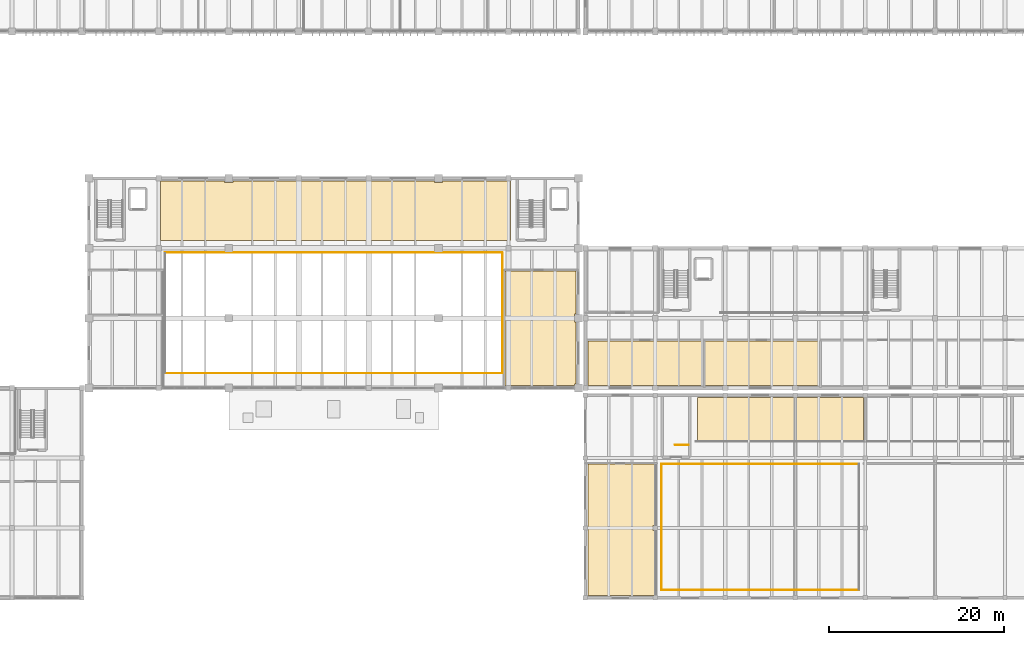
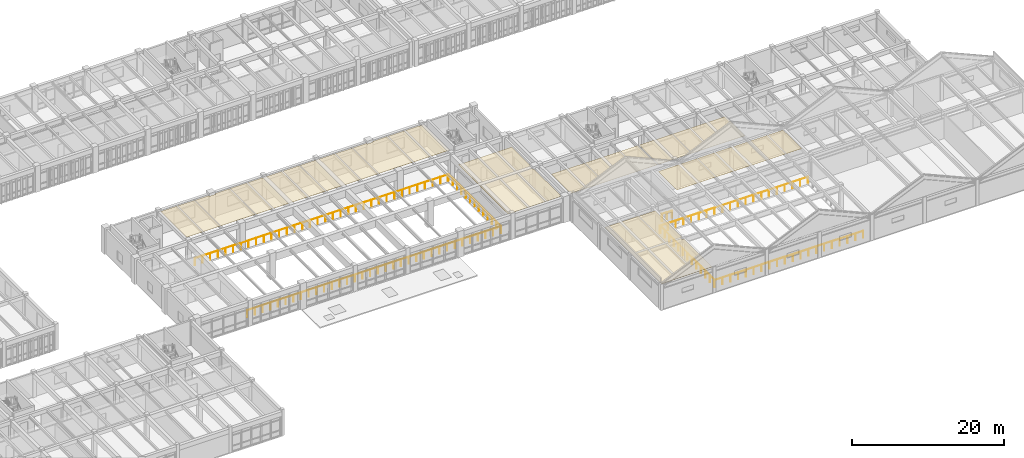
# One storey, part 58 of 67: 7 railings, 6 coverings.
"""IFC4 building model written with IfcOpenShell, lengths in metres."""

from ifc_helpers import new_model, si_unit, direction, frame, origin, origin_2d, place, context, subcontext, project, spatial, polyline, circle, outline, extrude, material, layer, layer_set, type_object, element, save


model = new_model("IFC4")

# Units and contexts
model_context = context("Model", 3, precision=1e-05, world=origin(), true_north=direction((0.0, 1.0)))
body_context = subcontext(model_context, "Body", "Model", "MODEL_VIEW")
ifc_project = project(units=[si_unit("LENGTHUNIT", "METRE"), si_unit("AREAUNIT", "SQUARE_METRE"), si_unit("VOLUMEUNIT", "CUBIC_METRE"), si_unit("PLANEANGLEUNIT", "RADIAN"), si_unit("MASSUNIT", "GRAM", prefix="KILO")], contexts=[model_context])

# Site, building, storey
site_placement = place(None, origin())
site = spatial("IfcSite", under=ifc_project, at=site_placement, CompositionType="ELEMENT")
building_placement = place(site_placement, origin())
building = spatial("IfcBuilding", under=site, at=building_placement, Name="Tlaxcora Railside Police Headquarters", CompositionType="ELEMENT")
storey_placement = place(building_placement, frame((0.0, 0.0, 4.800048828125)))
storey = spatial("IfcBuildingStorey", under=building, at=storey_placement, Name="L01", CompositionType="ELEMENT", Elevation=4.800048828125)

# Coverings
ifc_material_1 = material(Name="Mineral-fibre acoustic ceiling tile")
ifc_layer = layer(ifc_material_1, 0.034912109375, Name="Mineral-fibre acoustic ceiling tile")
ifc_layer_set = layer_set([ifc_layer], Name="Mineral-fibre acoustic ceiling tile")
covering_type = type_object("IfcCoveringType", Name="Acoustic Suspended Ceiling CLG-01", PredefinedType="CEILING", material=ifc_layer_set)
covering_1_placement = place(storey_placement, frame((0.0, 0.0, 3.764892578125)))
element("IfcCovering", 1, at=covering_1_placement, inside=storey, type_object=covering_type, Name="Public Mezzanine Gallery and Waiting Concourse suspended ceiling", PredefinedType="CEILING", context=body_context, shape_type="SweptSolid", body=[
    extrude(outline(polyline([(61.5400390625, 59.5400390625), (61.5400390625, 59.699951171875), (54.31005859375, 59.699951171875), (54.31005859375, 59.68994140625), (54.199951171875, 59.68994140625), (54.199951171875, 52.89990234375), (94.199951171875, 52.89990234375), (94.199951171875, 59.68994140625), (93.68994140625, 59.68994140625), (93.68994140625, 59.699951171875), (86.4599609375, 59.699951171875), (86.4599609375, 59.5400390625), (85.5400390625, 59.5400390625), (85.5400390625, 59.699951171875), (78.31005859375, 59.699951171875), (78.31005859375, 59.68994140625), (77.68994140625, 59.68994140625), (77.68994140625, 59.699951171875), (70.31005859375, 59.699951171875), (70.31005859375, 59.68994140625), (69.68994140625, 59.68994140625), (69.68994140625, 59.699951171875), (62.4599609375, 59.699951171875), (62.4599609375, 59.5400390625), (61.5400390625, 59.5400390625)])), origin(), (0.0, 0.0, 1.0), 0.03515625),
])
covering_2_placement = place(storey_placement, frame((0.0, 0.0, 3.764892578125)))
element("IfcCovering", 2, at=covering_2_placement, inside=storey, type_object=covering_type, Name="Chaplaincy and Officer Welfare Counselling Suite suspended ceiling", PredefinedType="CEILING", context=body_context, shape_type="SweptSolid", body=[
    extrude(outline(polyline([(101.699951171875, 49.39990234375), (93.60009765625, 49.39990234375), (93.60009765625, 36.300048828125), (93.68994140625, 36.300048828125), (93.68994140625, 36.31005859375), (94.31005859375, 36.31005859375), (94.31005859375, 36.300048828125), (101.5400390625, 36.300048828125), (101.5400390625, 36.4599609375), (101.699951171875, 36.4599609375), (101.699951171875, 43.5400390625), (101.5400390625, 43.5400390625), (101.5400390625, 44.4599609375), (101.699951171875, 44.4599609375), (101.699951171875, 49.39990234375)])), origin(), (0.0, 0.0, 1.0), 0.03515625),
])
covering_3_placement = place(storey_placement, frame((0.0, 0.0, 3.764892578125)))
element("IfcCovering", 3, at=covering_3_placement, inside=storey, type_object=covering_type, Name="Accessible WC and Dojo Changing Suite suspended ceiling", PredefinedType="CEILING", context=body_context, shape_type="SweptSolid", body=[
    extrude(outline(polyline([(103.10009765625, 12.300048828125), (110.800048828125, 12.300048828125), (110.800048828125, 19.739990234375), (110.5400390625, 19.739990234375), (110.5400390625, 20.260009765625), (110.800048828125, 20.260009765625), (110.800048828125, 27.300048828125), (103.10009765625, 27.300048828125), (103.10009765625, 12.300048828125)])), origin(), (0.0, 0.0, 1.0), 0.03515625),
])
covering_4_placement = place(storey_placement, frame((0.0, 0.0, 3.764892578125)))
element("IfcCovering", 4, at=covering_4_placement, inside=storey, type_object=covering_type, Name="Use-of-Force Simulator Room suspended ceiling", PredefinedType="CEILING", context=body_context, shape_type="SweptSolid", body=[
    extrude(outline(polyline([(134.60009765625, 30.0), (134.60009765625, 34.89990234375), (115.60009765625, 34.89990234375), (115.60009765625, 30.0), (134.60009765625, 30.0)])), origin(), (0.0, 0.0, 1.0), 0.03515625),
])
covering_5_placement = place(storey_placement, frame((0.0, 0.0, 3.764892578125)))
element("IfcCovering", 5, at=covering_5_placement, inside=storey, type_object=covering_type, Name="Acoustic Suspect Interview Suite A suspended ceiling", PredefinedType="CEILING", context=body_context, shape_type="SweptSolid", body=[
    extrude(outline(polyline([(103.10009765625, 41.39990234375), (103.10009765625, 36.31005859375), (103.110107421875, 36.31005859375), (103.110107421875, 36.300048828125), (110.489990234375, 36.300048828125), (110.489990234375, 36.31005859375), (111.110107421875, 36.31005859375), (111.110107421875, 36.300048828125), (116.31591796875, 36.300048828125), (116.31591796875, 41.39990234375), (103.10009765625, 41.39990234375)])), origin(), (0.0, 0.0, 1.0), 0.03515625),
])
covering_6_placement = place(storey_placement, frame((0.0, 0.0, 3.764892578125)))
element("IfcCovering", 6, at=covering_6_placement, inside=storey, type_object=covering_type, Name="Video-Recorded Interview Suite B suspended ceiling", PredefinedType="CEILING", context=body_context, shape_type="SweptSolid", body=[
    extrude(outline(polyline([(116.47607421875, 41.39990234375), (116.47607421875, 36.300048828125), (118.489990234375, 36.300048828125), (118.489990234375, 36.31005859375), (119.110107421875, 36.31005859375), (119.110107421875, 36.300048828125), (126.489990234375, 36.300048828125), (126.489990234375, 36.31005859375), (127.110107421875, 36.31005859375), (127.110107421875, 36.300048828125), (129.612060546875, 36.300048828125), (129.612060546875, 41.39990234375), (116.47607421875, 41.39990234375)])), origin(), (0.0, 0.0, 1.0), 0.03515625),
])

# Railings
ifc_material_2 = material(Name="Steel ASTM A992 Grade 50", Category="steel")
railing_type_1 = type_object("IfcRailingType", Name="Stair Well Guard Balustrade GR-02", PredefinedType="BALUSTRADE", material=ifc_material_2)
railing_1_placement = place(storey_placement, frame((114.610107421875, 29.510009765625, 0.0)))
element("IfcRailing", 7, at=railing_1_placement, inside=storey, type_object=railing_type_1, Name="L01 ST7 top well guard 1", PredefinedType="BALUSTRADE", context=body_context, shape_type="SweptSolid", body=[
    extrude(circle(Radius=0.02392578125, at=origin_2d()), frame((0.0, 0.0, 1.09619140625), z_axis=(-1.0, 0.0, 0.0), x_axis=(0.0, -1.0, 0.0)), (0.0, 0.0, 1.0), 1.550048828125),
    extrude(circle(Radius=0.02099609375, at=origin_2d()), origin(), (0.0, 0.0, 1.0), 1.072021484375),
    extrude(circle(Radius=0.02099609375, at=origin_2d()), frame((-0.77490234375, 0.0, 0.0)), (0.0, 0.0, 1.0), 1.072021484375),
    extrude(circle(Radius=0.02099609375, at=origin_2d()), frame((-1.550048828125, 0.0, 0.0)), (0.0, 0.0, 1.0), 1.072021484375),
])
railing_type_2 = type_object("IfcRailingType", Name="Terrace Perimeter Guard Balustrade GR-01", PredefinedType="BALUSTRADE", material=ifc_material_2)
railing_2_placement = place(storey_placement, frame((54.699951171875, 37.699951171875, 0.0)))
element("IfcRailing", 8, at=railing_2_placement, inside=storey, type_object=railing_type_2, Name="Atrium and well guard L01-01", PredefinedType="BALUSTRADE", context=body_context, shape_type="SweptSolid", body=[
    extrude(circle(Radius=0.02392578125, at=origin_2d()), frame((0.0, 0.0, 1.09619140625), z_axis=(1.0, 0.0, 0.0), x_axis=(0.0, 1.0, 0.0)), (0.0, 0.0, 1.0), 38.60009765625),
    extrude(circle(Radius=0.02099609375, at=origin_2d()), origin(), (0.0, 0.0, 1.0), 1.072021484375),
    extrude(circle(Radius=0.02099609375, at=origin_2d()), frame((1.169677734375, 0.0, 0.0)), (0.0, 0.0, 1.0), 1.072021484375),
    extrude(circle(Radius=0.02099609375, at=origin_2d()), frame((2.33935546875, 0.0, 0.0)), (0.0, 0.0, 1.0), 1.072021484375),
    extrude(circle(Radius=0.02099609375, at=origin_2d()), frame((3.509033203125, 0.0, 0.0)), (0.0, 0.0, 1.0), 1.072021484375),
    extrude(circle(Radius=0.02099609375, at=origin_2d()), frame((4.6787109375, 0.0, 0.0)), (0.0, 0.0, 1.0), 1.072021484375),
    extrude(circle(Radius=0.02099609375, at=origin_2d()), frame((5.848388671875, 0.0, 0.0)), (0.0, 0.0, 1.0), 1.072021484375),
    extrude(circle(Radius=0.02099609375, at=origin_2d()), frame((7.018310546875, 0.0, 0.0)), (0.0, 0.0, 1.0), 1.072021484375),
    extrude(circle(Radius=0.02099609375, at=origin_2d()), frame((8.18798828125, 0.0, 0.0)), (0.0, 0.0, 1.0), 1.072021484375),
    extrude(circle(Radius=0.02099609375, at=origin_2d()), frame((9.357666015625, 0.0, 0.0)), (0.0, 0.0, 1.0), 1.072021484375),
    extrude(circle(Radius=0.02099609375, at=origin_2d()), frame((10.52734375, 0.0, 0.0)), (0.0, 0.0, 1.0), 1.072021484375),
    extrude(circle(Radius=0.02099609375, at=origin_2d()), frame((11.697021484375, 0.0, 0.0)), (0.0, 0.0, 1.0), 1.072021484375),
    extrude(circle(Radius=0.02099609375, at=origin_2d()), frame((12.86669921875, 0.0, 0.0)), (0.0, 0.0, 1.0), 1.072021484375),
    extrude(circle(Radius=0.02099609375, at=origin_2d()), frame((14.036376953125, 0.0, 0.0)), (0.0, 0.0, 1.0), 1.072021484375),
    extrude(circle(Radius=0.02099609375, at=origin_2d()), frame((15.2060546875, 0.0, 0.0)), (0.0, 0.0, 1.0), 1.072021484375),
    extrude(circle(Radius=0.02099609375, at=origin_2d()), frame((16.375732421875, 0.0, 0.0)), (0.0, 0.0, 1.0), 1.072021484375),
    extrude(circle(Radius=0.02099609375, at=origin_2d()), frame((17.54541015625, 0.0, 0.0)), (0.0, 0.0, 1.0), 1.072021484375),
    extrude(circle(Radius=0.02099609375, at=origin_2d()), frame((18.715087890625, 0.0, 0.0)), (0.0, 0.0, 1.0), 1.072021484375),
    extrude(circle(Radius=0.02099609375, at=origin_2d()), frame((19.885009765625, 0.0, 0.0)), (0.0, 0.0, 1.0), 1.072021484375),
    extrude(circle(Radius=0.02099609375, at=origin_2d()), frame((21.0546875, 0.0, 0.0)), (0.0, 0.0, 1.0), 1.072021484375),
    extrude(circle(Radius=0.02099609375, at=origin_2d()), frame((22.224365234375, 0.0, 0.0)), (0.0, 0.0, 1.0), 1.072021484375),
    extrude(circle(Radius=0.02099609375, at=origin_2d()), frame((23.39404296875, 0.0, 0.0)), (0.0, 0.0, 1.0), 1.072021484375),
    extrude(circle(Radius=0.02099609375, at=origin_2d()), frame((24.563720703125, 0.0, 0.0)), (0.0, 0.0, 1.0), 1.072021484375),
    extrude(circle(Radius=0.02099609375, at=origin_2d()), frame((25.7333984375, 0.0, 0.0)), (0.0, 0.0, 1.0), 1.072021484375),
    extrude(circle(Radius=0.02099609375, at=origin_2d()), frame((26.903076171875, 0.0, 0.0)), (0.0, 0.0, 1.0), 1.072021484375),
    extrude(circle(Radius=0.02099609375, at=origin_2d()), frame((28.07275390625, 0.0, 0.0)), (0.0, 0.0, 1.0), 1.072021484375),
    extrude(circle(Radius=0.02099609375, at=origin_2d()), frame((29.242431640625, 0.0, 0.0)), (0.0, 0.0, 1.0), 1.072021484375),
    extrude(circle(Radius=0.02099609375, at=origin_2d()), frame((30.412109375, 0.0, 0.0)), (0.0, 0.0, 1.0), 1.072021484375),
    extrude(circle(Radius=0.02099609375, at=origin_2d()), frame((31.581787109375, 0.0, 0.0)), (0.0, 0.0, 1.0), 1.072021484375),
    extrude(circle(Radius=0.02099609375, at=origin_2d()), frame((32.751708984375, 0.0, 0.0)), (0.0, 0.0, 1.0), 1.072021484375),
    extrude(circle(Radius=0.02099609375, at=origin_2d()), frame((33.92138671875, 0.0, 0.0)), (0.0, 0.0, 1.0), 1.072021484375),
    extrude(circle(Radius=0.02099609375, at=origin_2d()), frame((35.091064453125, 0.0, 0.0)), (0.0, 0.0, 1.0), 1.072021484375),
    extrude(circle(Radius=0.02099609375, at=origin_2d()), frame((36.2607421875, 0.0, 0.0)), (0.0, 0.0, 1.0), 1.072021484375),
    extrude(circle(Radius=0.02099609375, at=origin_2d()), frame((37.430419921875, 0.0, 0.0)), (0.0, 0.0, 1.0), 1.072021484375),
    extrude(circle(Radius=0.02099609375, at=origin_2d()), frame((38.60009765625, 0.0, 0.0)), (0.0, 0.0, 1.0), 1.072021484375),
])
railing_3_placement = place(storey_placement, frame((93.300048828125, 37.780029296875, 0.0)))
element("IfcRailing", 9, at=railing_3_placement, inside=storey, type_object=railing_type_2, Name="Atrium and well guard L01-02", PredefinedType="BALUSTRADE", context=body_context, shape_type="SweptSolid", body=[
    extrude(circle(Radius=0.02392578125, at=origin_2d()), frame((0.0, 0.0, 1.09619140625), z_axis=(0.0, 1.0, 0.0), x_axis=(-1.0, 0.0, 0.0)), (0.0, 0.0, 1.0), 13.719970703125),
    extrude(circle(Radius=0.02099609375, at=origin_2d()), origin(), (0.0, 0.0, 1.0), 1.072021484375),
    extrude(circle(Radius=0.02099609375, at=origin_2d()), frame((0.0, 1.143310546875, 0.0)), (0.0, 0.0, 1.0), 1.072021484375),
    extrude(circle(Radius=0.02099609375, at=origin_2d()), frame((0.0, 2.28662109375, 0.0)), (0.0, 0.0, 1.0), 1.072021484375),
    extrude(circle(Radius=0.02099609375, at=origin_2d()), frame((0.0, 3.429931640625, 0.0)), (0.0, 0.0, 1.0), 1.072021484375),
    extrude(circle(Radius=0.02099609375, at=origin_2d()), frame((0.0, 4.5732421875, 0.0)), (0.0, 0.0, 1.0), 1.072021484375),
    extrude(circle(Radius=0.02099609375, at=origin_2d()), frame((0.0, 5.716552734375, 0.0)), (0.0, 0.0, 1.0), 1.072021484375),
    extrude(circle(Radius=0.02099609375, at=origin_2d()), frame((0.0, 6.85986328125, 0.0)), (0.0, 0.0, 1.0), 1.072021484375),
    extrude(circle(Radius=0.02099609375, at=origin_2d()), frame((0.0, 8.00341796875, 0.0)), (0.0, 0.0, 1.0), 1.072021484375),
    extrude(circle(Radius=0.02099609375, at=origin_2d()), frame((0.0, 9.146728515625, 0.0)), (0.0, 0.0, 1.0), 1.072021484375),
    extrude(circle(Radius=0.02099609375, at=origin_2d()), frame((0.0, 10.2900390625, 0.0)), (0.0, 0.0, 1.0), 1.072021484375),
    extrude(circle(Radius=0.02099609375, at=origin_2d()), frame((0.0, 11.433349609375, 0.0)), (0.0, 0.0, 1.0), 1.072021484375),
    extrude(circle(Radius=0.02099609375, at=origin_2d()), frame((0.0, 12.57666015625, 0.0)), (0.0, 0.0, 1.0), 1.072021484375),
    extrude(circle(Radius=0.02099609375, at=origin_2d()), frame((0.0, 13.719970703125, 0.0)), (0.0, 0.0, 1.0), 1.072021484375),
])
railing_4_placement = place(storey_placement, frame((93.219970703125, 51.5, 0.0)))
element("IfcRailing", 10, at=railing_4_placement, inside=storey, type_object=railing_type_2, Name="Atrium and well guard L01-03", PredefinedType="BALUSTRADE", context=body_context, shape_type="SweptSolid", body=[
    extrude(circle(Radius=0.02392578125, at=origin_2d()), frame((0.0, 0.0, 1.09619140625), z_axis=(-1.0, 0.0, 0.0), x_axis=(0.0, -1.0, 0.0)), (0.0, 0.0, 1.0), 38.52001953125),
    extrude(circle(Radius=0.02099609375, at=origin_2d()), origin(), (0.0, 0.0, 1.0), 1.072021484375),
    extrude(circle(Radius=0.02099609375, at=origin_2d()), frame((-1.167236328125, 0.0, 0.0)), (0.0, 0.0, 1.0), 1.072021484375),
    extrude(circle(Radius=0.02099609375, at=origin_2d()), frame((-2.33447265625, 0.0, 0.0)), (0.0, 0.0, 1.0), 1.072021484375),
    extrude(circle(Radius=0.02099609375, at=origin_2d()), frame((-3.501708984375, 0.0, 0.0)), (0.0, 0.0, 1.0), 1.072021484375),
    extrude(circle(Radius=0.02099609375, at=origin_2d()), frame((-4.669189453125, 0.0, 0.0)), (0.0, 0.0, 1.0), 1.072021484375),
    extrude(circle(Radius=0.02099609375, at=origin_2d()), frame((-5.83642578125, 0.0, 0.0)), (0.0, 0.0, 1.0), 1.072021484375),
    extrude(circle(Radius=0.02099609375, at=origin_2d()), frame((-7.003662109375, 0.0, 0.0)), (0.0, 0.0, 1.0), 1.072021484375),
    extrude(circle(Radius=0.02099609375, at=origin_2d()), frame((-8.1708984375, 0.0, 0.0)), (0.0, 0.0, 1.0), 1.072021484375),
    extrude(circle(Radius=0.02099609375, at=origin_2d()), frame((-9.338134765625, 0.0, 0.0)), (0.0, 0.0, 1.0), 1.072021484375),
    extrude(circle(Radius=0.02099609375, at=origin_2d()), frame((-10.50537109375, 0.0, 0.0)), (0.0, 0.0, 1.0), 1.072021484375),
    extrude(circle(Radius=0.02099609375, at=origin_2d()), frame((-11.6728515625, 0.0, 0.0)), (0.0, 0.0, 1.0), 1.072021484375),
    extrude(circle(Radius=0.02099609375, at=origin_2d()), frame((-12.840087890625, 0.0, 0.0)), (0.0, 0.0, 1.0), 1.072021484375),
    extrude(circle(Radius=0.02099609375, at=origin_2d()), frame((-14.00732421875, 0.0, 0.0)), (0.0, 0.0, 1.0), 1.072021484375),
    extrude(circle(Radius=0.02099609375, at=origin_2d()), frame((-15.174560546875, 0.0, 0.0)), (0.0, 0.0, 1.0), 1.072021484375),
    extrude(circle(Radius=0.02099609375, at=origin_2d()), frame((-16.341796875, 0.0, 0.0)), (0.0, 0.0, 1.0), 1.072021484375),
    extrude(circle(Radius=0.02099609375, at=origin_2d()), frame((-17.509033203125, 0.0, 0.0)), (0.0, 0.0, 1.0), 1.072021484375),
    extrude(circle(Radius=0.02099609375, at=origin_2d()), frame((-18.67626953125, 0.0, 0.0)), (0.0, 0.0, 1.0), 1.072021484375),
    extrude(circle(Radius=0.02099609375, at=origin_2d()), frame((-19.84375, 0.0, 0.0)), (0.0, 0.0, 1.0), 1.072021484375),
    extrude(circle(Radius=0.02099609375, at=origin_2d()), frame((-21.010986328125, 0.0, 0.0)), (0.0, 0.0, 1.0), 1.072021484375),
    extrude(circle(Radius=0.02099609375, at=origin_2d()), frame((-22.17822265625, 0.0, 0.0)), (0.0, 0.0, 1.0), 1.072021484375),
    extrude(circle(Radius=0.02099609375, at=origin_2d()), frame((-23.345458984375, 0.0, 0.0)), (0.0, 0.0, 1.0), 1.072021484375),
    extrude(circle(Radius=0.02099609375, at=origin_2d()), frame((-24.5126953125, 0.0, 0.0)), (0.0, 0.0, 1.0), 1.072021484375),
    extrude(circle(Radius=0.02099609375, at=origin_2d()), frame((-25.679931640625, 0.0, 0.0)), (0.0, 0.0, 1.0), 1.072021484375),
    extrude(circle(Radius=0.02099609375, at=origin_2d()), frame((-26.84716796875, 0.0, 0.0)), (0.0, 0.0, 1.0), 1.072021484375),
    extrude(circle(Radius=0.02099609375, at=origin_2d()), frame((-28.0146484375, 0.0, 0.0)), (0.0, 0.0, 1.0), 1.072021484375),
    extrude(circle(Radius=0.02099609375, at=origin_2d()), frame((-29.181884765625, 0.0, 0.0)), (0.0, 0.0, 1.0), 1.072021484375),
    extrude(circle(Radius=0.02099609375, at=origin_2d()), frame((-30.34912109375, 0.0, 0.0)), (0.0, 0.0, 1.0), 1.072021484375),
    extrude(circle(Radius=0.02099609375, at=origin_2d()), frame((-31.516357421875, 0.0, 0.0)), (0.0, 0.0, 1.0), 1.072021484375),
    extrude(circle(Radius=0.02099609375, at=origin_2d()), frame((-32.68359375, 0.0, 0.0)), (0.0, 0.0, 1.0), 1.072021484375),
    extrude(circle(Radius=0.02099609375, at=origin_2d()), frame((-33.850830078125, 0.0, 0.0)), (0.0, 0.0, 1.0), 1.072021484375),
    extrude(circle(Radius=0.02099609375, at=origin_2d()), frame((-35.018310546875, 0.0, 0.0)), (0.0, 0.0, 1.0), 1.072021484375),
    extrude(circle(Radius=0.02099609375, at=origin_2d()), frame((-36.185546875, 0.0, 0.0)), (0.0, 0.0, 1.0), 1.072021484375),
    extrude(circle(Radius=0.02099609375, at=origin_2d()), frame((-37.352783203125, 0.0, 0.0)), (0.0, 0.0, 1.0), 1.072021484375),
    extrude(circle(Radius=0.02099609375, at=origin_2d()), frame((-38.52001953125, 0.0, 0.0)), (0.0, 0.0, 1.0), 1.072021484375),
])
railing_5_placement = place(storey_placement, frame((111.5, 12.89990234375, 0.0)))
element("IfcRailing", 11, at=railing_5_placement, inside=storey, type_object=railing_type_2, Name="Atrium and well guard L01-09", PredefinedType="BALUSTRADE", context=body_context, shape_type="SweptSolid", body=[
    extrude(circle(Radius=0.02392578125, at=origin_2d()), frame((0.0, 0.0, 1.09619140625), z_axis=(1.0, 0.0, 0.0), x_axis=(0.0, 1.0, 0.0)), (0.0, 0.0, 1.0), 22.60009765625),
    extrude(circle(Radius=0.02099609375, at=origin_2d()), origin(), (0.0, 0.0, 1.0), 1.072021484375),
    extrude(circle(Radius=0.02099609375, at=origin_2d()), frame((1.189453125, 0.0, 0.0)), (0.0, 0.0, 1.0), 1.072021484375),
    extrude(circle(Radius=0.02099609375, at=origin_2d()), frame((2.37890625, 0.0, 0.0)), (0.0, 0.0, 1.0), 1.072021484375),
    extrude(circle(Radius=0.02099609375, at=origin_2d()), frame((3.568359375, 0.0, 0.0)), (0.0, 0.0, 1.0), 1.072021484375),
    extrude(circle(Radius=0.02099609375, at=origin_2d()), frame((4.7578125, 0.0, 0.0)), (0.0, 0.0, 1.0), 1.072021484375),
    extrude(circle(Radius=0.02099609375, at=origin_2d()), frame((5.947509765625, 0.0, 0.0)), (0.0, 0.0, 1.0), 1.072021484375),
    extrude(circle(Radius=0.02099609375, at=origin_2d()), frame((7.136962890625, 0.0, 0.0)), (0.0, 0.0, 1.0), 1.072021484375),
    extrude(circle(Radius=0.02099609375, at=origin_2d()), frame((8.326416015625, 0.0, 0.0)), (0.0, 0.0, 1.0), 1.072021484375),
    extrude(circle(Radius=0.02099609375, at=origin_2d()), frame((9.515869140625, 0.0, 0.0)), (0.0, 0.0, 1.0), 1.072021484375),
    extrude(circle(Radius=0.02099609375, at=origin_2d()), frame((10.705322265625, 0.0, 0.0)), (0.0, 0.0, 1.0), 1.072021484375),
    extrude(circle(Radius=0.02099609375, at=origin_2d()), frame((11.894775390625, 0.0, 0.0)), (0.0, 0.0, 1.0), 1.072021484375),
    extrude(circle(Radius=0.02099609375, at=origin_2d()), frame((13.084228515625, 0.0, 0.0)), (0.0, 0.0, 1.0), 1.072021484375),
    extrude(circle(Radius=0.02099609375, at=origin_2d()), frame((14.273681640625, 0.0, 0.0)), (0.0, 0.0, 1.0), 1.072021484375),
    extrude(circle(Radius=0.02099609375, at=origin_2d()), frame((15.463134765625, 0.0, 0.0)), (0.0, 0.0, 1.0), 1.072021484375),
    extrude(circle(Radius=0.02099609375, at=origin_2d()), frame((16.652587890625, 0.0, 0.0)), (0.0, 0.0, 1.0), 1.072021484375),
    extrude(circle(Radius=0.02099609375, at=origin_2d()), frame((17.84228515625, 0.0, 0.0)), (0.0, 0.0, 1.0), 1.072021484375),
    extrude(circle(Radius=0.02099609375, at=origin_2d()), frame((19.03173828125, 0.0, 0.0)), (0.0, 0.0, 1.0), 1.072021484375),
    extrude(circle(Radius=0.02099609375, at=origin_2d()), frame((20.22119140625, 0.0, 0.0)), (0.0, 0.0, 1.0), 1.072021484375),
    extrude(circle(Radius=0.02099609375, at=origin_2d()), frame((21.41064453125, 0.0, 0.0)), (0.0, 0.0, 1.0), 1.072021484375),
    extrude(circle(Radius=0.02099609375, at=origin_2d()), frame((22.60009765625, 0.0, 0.0)), (0.0, 0.0, 1.0), 1.072021484375),
])
railing_6_placement = place(storey_placement, frame((134.02001953125, 27.300048828125, 0.0)))
element("IfcRailing", 12, at=railing_6_placement, inside=storey, type_object=railing_type_2, Name="Atrium and well guard L01-11", PredefinedType="BALUSTRADE", context=body_context, shape_type="SweptSolid", body=[
    extrude(circle(Radius=0.02392578125, at=origin_2d()), frame((0.0, 0.0, 1.09619140625), z_axis=(-1.0, 0.0, 0.0), x_axis=(0.0, -1.0, 0.0)), (0.0, 0.0, 1.0), 22.52001953125),
    extrude(circle(Radius=0.02099609375, at=origin_2d()), origin(), (0.0, 0.0, 1.0), 1.072021484375),
    extrude(circle(Radius=0.02099609375, at=origin_2d()), frame((-1.185302734375, 0.0, 0.0)), (0.0, 0.0, 1.0), 1.072021484375),
    extrude(circle(Radius=0.02099609375, at=origin_2d()), frame((-2.37060546875, 0.0, 0.0)), (0.0, 0.0, 1.0), 1.072021484375),
    extrude(circle(Radius=0.02099609375, at=origin_2d()), frame((-3.555908203125, 0.0, 0.0)), (0.0, 0.0, 1.0), 1.072021484375),
    extrude(circle(Radius=0.02099609375, at=origin_2d()), frame((-4.740966796875, 0.0, 0.0)), (0.0, 0.0, 1.0), 1.072021484375),
    extrude(circle(Radius=0.02099609375, at=origin_2d()), frame((-5.92626953125, 0.0, 0.0)), (0.0, 0.0, 1.0), 1.072021484375),
    extrude(circle(Radius=0.02099609375, at=origin_2d()), frame((-7.111572265625, 0.0, 0.0)), (0.0, 0.0, 1.0), 1.072021484375),
    extrude(circle(Radius=0.02099609375, at=origin_2d()), frame((-8.296875, 0.0, 0.0)), (0.0, 0.0, 1.0), 1.072021484375),
    extrude(circle(Radius=0.02099609375, at=origin_2d()), frame((-9.482177734375, 0.0, 0.0)), (0.0, 0.0, 1.0), 1.072021484375),
    extrude(circle(Radius=0.02099609375, at=origin_2d()), frame((-10.66748046875, 0.0, 0.0)), (0.0, 0.0, 1.0), 1.072021484375),
    extrude(circle(Radius=0.02099609375, at=origin_2d()), frame((-11.8525390625, 0.0, 0.0)), (0.0, 0.0, 1.0), 1.072021484375),
    extrude(circle(Radius=0.02099609375, at=origin_2d()), frame((-13.037841796875, 0.0, 0.0)), (0.0, 0.0, 1.0), 1.072021484375),
    extrude(circle(Radius=0.02099609375, at=origin_2d()), frame((-14.22314453125, 0.0, 0.0)), (0.0, 0.0, 1.0), 1.072021484375),
    extrude(circle(Radius=0.02099609375, at=origin_2d()), frame((-15.408447265625, 0.0, 0.0)), (0.0, 0.0, 1.0), 1.072021484375),
    extrude(circle(Radius=0.02099609375, at=origin_2d()), frame((-16.59375, 0.0, 0.0)), (0.0, 0.0, 1.0), 1.072021484375),
    extrude(circle(Radius=0.02099609375, at=origin_2d()), frame((-17.779052734375, 0.0, 0.0)), (0.0, 0.0, 1.0), 1.072021484375),
    extrude(circle(Radius=0.02099609375, at=origin_2d()), frame((-18.964111328125, 0.0, 0.0)), (0.0, 0.0, 1.0), 1.072021484375),
    extrude(circle(Radius=0.02099609375, at=origin_2d()), frame((-20.1494140625, 0.0, 0.0)), (0.0, 0.0, 1.0), 1.072021484375),
    extrude(circle(Radius=0.02099609375, at=origin_2d()), frame((-21.334716796875, 0.0, 0.0)), (0.0, 0.0, 1.0), 1.072021484375),
    extrude(circle(Radius=0.02099609375, at=origin_2d()), frame((-22.52001953125, 0.0, 0.0)), (0.0, 0.0, 1.0), 1.072021484375),
])
railing_7_placement = place(storey_placement, frame((111.5, 27.219970703125, 0.0)))
element("IfcRailing", 13, at=railing_7_placement, inside=storey, type_object=railing_type_2, Name="Atrium and well guard L01-12", PredefinedType="BALUSTRADE", context=body_context, shape_type="SweptSolid", body=[
    extrude(circle(Radius=0.02392578125, at=origin_2d()), frame((0.0, 0.0, 1.09619140625), z_axis=(0.0, -1.0, 0.0), x_axis=(1.0, 0.0, 0.0)), (0.0, 0.0, 1.0), 14.239990234375),
    extrude(circle(Radius=0.02099609375, at=origin_2d()), origin(), (0.0, 0.0, 1.0), 1.072021484375),
    extrude(circle(Radius=0.02099609375, at=origin_2d()), frame((0.0, -1.186767578125, 0.0)), (0.0, 0.0, 1.0), 1.072021484375),
    extrude(circle(Radius=0.02099609375, at=origin_2d()), frame((0.0, -2.373291015625, 0.0)), (0.0, 0.0, 1.0), 1.072021484375),
    extrude(circle(Radius=0.02099609375, at=origin_2d()), frame((0.0, -3.56005859375, 0.0)), (0.0, 0.0, 1.0), 1.072021484375),
    extrude(circle(Radius=0.02099609375, at=origin_2d()), frame((0.0, -4.74658203125, 0.0)), (0.0, 0.0, 1.0), 1.072021484375),
    extrude(circle(Radius=0.02099609375, at=origin_2d()), frame((0.0, -5.933349609375, 0.0)), (0.0, 0.0, 1.0), 1.072021484375),
    extrude(circle(Radius=0.02099609375, at=origin_2d()), frame((0.0, -7.1201171875, 0.0)), (0.0, 0.0, 1.0), 1.072021484375),
    extrude(circle(Radius=0.02099609375, at=origin_2d()), frame((0.0, -8.306640625, 0.0)), (0.0, 0.0, 1.0), 1.072021484375),
    extrude(circle(Radius=0.02099609375, at=origin_2d()), frame((0.0, -9.493408203125, 0.0)), (0.0, 0.0, 1.0), 1.072021484375),
    extrude(circle(Radius=0.02099609375, at=origin_2d()), frame((0.0, -10.679931640625, 0.0)), (0.0, 0.0, 1.0), 1.072021484375),
    extrude(circle(Radius=0.02099609375, at=origin_2d()), frame((0.0, -11.86669921875, 0.0)), (0.0, 0.0, 1.0), 1.072021484375),
    extrude(circle(Radius=0.02099609375, at=origin_2d()), frame((0.0, -13.05322265625, 0.0)), (0.0, 0.0, 1.0), 1.072021484375),
    extrude(circle(Radius=0.02099609375, at=origin_2d()), frame((0.0, -14.239990234375, 0.0)), (0.0, 0.0, 1.0), 1.072021484375),
])

save(model, "model.ifc")
